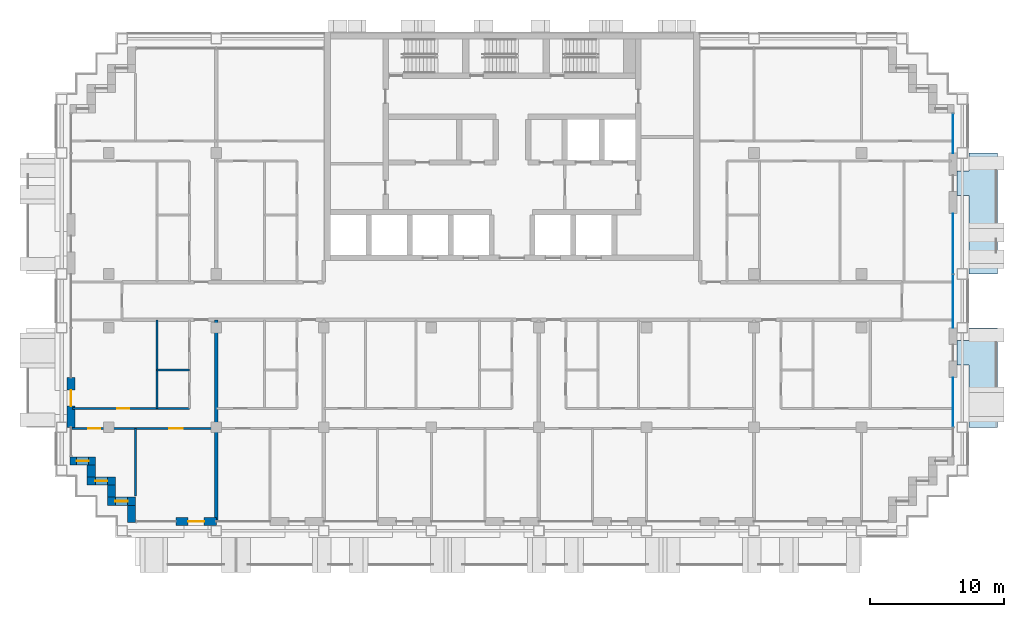
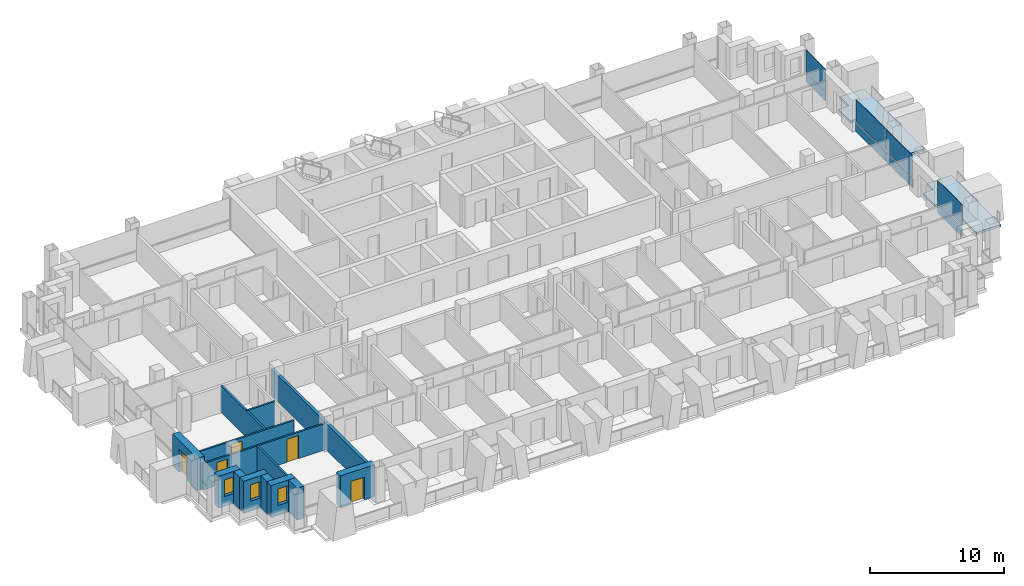
# One storey, part 7 of 18: 14 walls, 8 plates, 5 doors, 3 windows, 2 slabs, 8 openings, 3 elements without a shape of their own.
"""IFC4 building model written with IfcOpenShell, lengths in metres."""

from ifc_helpers import new_model, si_unit, direction, frame, frame_2d, origin, origin_2d, place, context, subcontext, project, spatial, polyline, rectangle, outline, extrude, material, layer, layer_set, type_object, element, fill, aggregate, save


model = new_model("IFC4")

# Units and contexts
model_context = context("Model", 3, precision=1e-05, world=origin(), true_north=direction((0.0, 1.0)))
body_context = subcontext(model_context, "Body", "Model", "MODEL_VIEW")
ifc_project = project(units=[si_unit("LENGTHUNIT", "METRE"), si_unit("AREAUNIT", "SQUARE_METRE"), si_unit("VOLUMEUNIT", "CUBIC_METRE"), si_unit("PLANEANGLEUNIT", "RADIAN"), si_unit("MASSUNIT", "GRAM", prefix="KILO")], contexts=[model_context])

# Site, building, storey
site_placement = place(None, origin())
site = spatial("IfcSite", under=ifc_project, at=site_placement, CompositionType="ELEMENT")
building_placement = place(site_placement, origin())
building = spatial("IfcBuilding", under=site, at=building_placement, Name="Vidyagriha Tower", CompositionType="ELEMENT")
storey_placement = place(building_placement, frame((0.0, 0.0, 123.0)))
storey = spatial("IfcBuildingStorey", under=building, at=storey_placement, Name="L31", CompositionType="ELEMENT", Elevation=123.0)

# Curtain wall, plate
ifc_material_1 = material(Name="Aluminium and glass curtain wall", Category="aluminium")
curtain_wall_type = type_object("IfcCurtainWallType", Name="Dwelling skin unitised curtain wall", PredefinedType="USERDEFINED", material=ifc_material_1)
curtain_wall_1_placement = place(storey_placement, origin())
curtain_wall_1 = element("IfcCurtainWall", 1, at=curtain_wall_1_placement, inside=storey, type_object=curtain_wall_type, Name="CW1 dwelling skin", ObjectType="UNITISED", PredefinedType="USERDEFINED")
ifc_material_2 = material(Name="Glass dark ceramic-fritted spandrel", Category="glass")
ifc_layer_1 = layer(ifc_material_2, 0.0400390625)
ifc_layer_set_1 = layer_set([ifc_layer_1], Name="Glass dark ceramic-fritted spandrel")
plate_type_1 = type_object("IfcPlateType", Name="Ceramic-fritted spandrel panel", PredefinedType="CURTAIN_PANEL", material=ifc_layer_set_1)
plate_1_placement = place(storey_placement, frame((32.800048828125, -7.532470703125, 0.0), z_axis=(0.0, 0.0, 1.0), x_axis=(0.0, 1.0, 0.0)))
plate_1 = element("IfcPlate", 2, at=plate_1_placement, type_object=plate_type_1, Name="CW1 panel 2.1", PredefinedType="CURTAIN_PANEL", context=body_context, shape_type="SweptSolid", body=[
    extrude(rectangle(XDim=3.6650390625, YDim=0.0400390625, at=origin_2d()), origin(), (0.0, 0.0, 1.0), 0.85009765625),
])

curtain_wall_2_placement = place(storey_placement, origin())
curtain_wall_2 = element("IfcCurtainWall", 3, at=curtain_wall_2_placement, inside=storey, type_object=curtain_wall_type, Name="CW1 dwelling skin", ObjectType="UNITISED", PredefinedType="USERDEFINED")
plate_2_placement = place(storey_placement, frame((32.800048828125, 12.465087890625, 0.0), z_axis=(0.0, 0.0, 1.0), x_axis=(0.0, 1.0, 0.0)))
plate_2 = element("IfcPlate", 4, at=plate_2_placement, type_object=plate_type_1, Name="CW1 panel 1.1", PredefinedType="CURTAIN_PANEL", context=body_context, shape_type="SweptSolid", body=[
    extrude(rectangle(XDim=2.929931640625, YDim=0.0400390625, at=origin_2d()), origin(), (0.0, 0.0, 1.0), 0.85009765625),
])

# Plate
ifc_material_3 = material(Name="Glass dark ceramic-fritted", Category="glass")
ifc_layer_2 = layer(ifc_material_3, 0.028076171875)
ifc_layer_set_2 = layer_set([ifc_layer_2], Name="Glass dark ceramic-fritted")
plate_type_2 = type_object("IfcPlateType", Name="Dark ceramic-fritted vision glass panel", PredefinedType="CURTAIN_PANEL", material=ifc_layer_set_2)
plate_3_placement = place(storey_placement, frame((32.800048828125, -7.532470703125, 0.9501953125), z_axis=(0.0, 0.0, 1.0), x_axis=(0.0, 1.0, 0.0)))
plate_3 = element("IfcPlate", 5, at=plate_3_placement, type_object=plate_type_2, Name="CW1 panel 2.2", PredefinedType="CURTAIN_PANEL", context=body_context, shape_type="SweptSolid", body=[
    extrude(rectangle(XDim=3.6650390625, YDim=0.028076171875, at=origin_2d()), origin(), (0.0, 0.0, 1.0), 1.969970703125),
])

aggregate(curtain_wall_1, [plate_1, plate_3])

# Curtain wall, plates
curtain_wall_3_placement = place(storey_placement, origin())
curtain_wall_3 = element("IfcCurtainWall", 6, at=curtain_wall_3_placement, inside=storey, type_object=curtain_wall_type, Name="CW1 dwelling skin", ObjectType="UNITISED", PredefinedType="USERDEFINED")
plate_4_placement = place(storey_placement, frame((32.800048828125, -0.017578125, 0.9501953125), z_axis=(0.0, 0.0, 1.0), x_axis=(0.0, 1.0, 0.0)))
plate_4 = element("IfcPlate", 7, at=plate_4_placement, type_object=plate_type_2, Name="CW1 panel 1.2", PredefinedType="CURTAIN_PANEL", context=body_context, shape_type="SweptSolid", body=[
    extrude(rectangle(XDim=3.965087890625, YDim=0.028076171875, at=origin_2d()), origin(), (0.0, 0.0, 1.0), 1.969970703125),
])
plate_5_placement = place(storey_placement, frame((32.800048828125, 4.267578125, 0.9501953125), z_axis=(0.0, 0.0, 1.0), x_axis=(0.0, 1.0, 0.0)))
plate_5 = element("IfcPlate", 8, at=plate_5_placement, type_object=plate_type_2, Name="CW1 panel 2.2", PredefinedType="CURTAIN_PANEL", context=body_context, shape_type="SweptSolid", body=[
    extrude(rectangle(XDim=4.465087890625, YDim=0.028076171875, at=origin_2d()), origin(), (0.0, 0.0, 1.0), 1.969970703125),
])

# Plate
plate_6_placement = place(storey_placement, frame((32.800048828125, 12.465087890625, 0.9501953125), z_axis=(0.0, 0.0, 1.0), x_axis=(0.0, 1.0, 0.0)))
plate_6 = element("IfcPlate", 9, at=plate_6_placement, type_object=plate_type_2, Name="CW1 panel 1.2", PredefinedType="CURTAIN_PANEL", context=body_context, shape_type="SweptSolid", body=[
    extrude(rectangle(XDim=2.929931640625, YDim=0.028076171875, at=origin_2d()), origin(), (0.0, 0.0, 1.0), 1.969970703125),
])

aggregate(curtain_wall_2, [plate_2, plate_6])

ifc_material_4 = material(Name="Aluminium black anodised", Category="aluminium")
ifc_layer_3 = layer(ifc_material_4, 0.06005859375)
ifc_layer_set_3 = layer_set([ifc_layer_3], Name="Aluminium black anodised")
plate_type_3 = type_object("IfcPlateType", Name="Operable black-metal vent panel", PredefinedType="CURTAIN_PANEL", material=ifc_layer_set_3)
plate_7_placement = place(storey_placement, frame((32.800048828125, -0.017578125, 0.0), z_axis=(0.0, 0.0, 1.0), x_axis=(0.0, 1.0, 0.0)))
plate_7 = element("IfcPlate", 10, at=plate_7_placement, type_object=plate_type_3, Name="CW1 panel 1.1", PredefinedType="CURTAIN_PANEL", context=body_context, shape_type="SweptSolid", body=[
    extrude(rectangle(XDim=3.965087890625, YDim=0.06005859375, at=origin_2d()), origin(), (0.0, 0.0, 1.0), 0.85009765625),
])

plate_8_placement = place(storey_placement, frame((32.800048828125, 4.267578125, 0.0), z_axis=(0.0, 0.0, 1.0), x_axis=(0.0, 1.0, 0.0)))
plate_8 = element("IfcPlate", 11, at=plate_8_placement, type_object=plate_type_3, Name="CW1 panel 2.1", PredefinedType="CURTAIN_PANEL", context=body_context, shape_type="SweptSolid", body=[
    extrude(rectangle(XDim=4.465087890625, YDim=0.06005859375, at=origin_2d()), origin(), (0.0, 0.0, 1.0), 0.85009765625),
])

aggregate(curtain_wall_3, [plate_7, plate_4, plate_8, plate_5])

# Slabs
ifc_material_5 = material(Name="Precast concrete C40/50", Category="concrete")
ifc_layer_4 = layer(ifc_material_5, 0.199951171875)
ifc_layer_set_4 = layer_set([ifc_layer_4], Name="Precast concrete C40/50")
slab_type = type_object("IfcSlabType", Name="Precast balcony slab 200", PredefinedType="USERDEFINED", material=ifc_layer_set_4)
slab_1_placement = place(storey_placement, frame((0.0, 0.0, -0.199951171875)))
element("IfcSlab", 12, at=slab_1_placement, inside=storey, type_object=slab_type, Name="Balcony slab L31 R30.1-1", ObjectType="BALCONY", PredefinedType="USERDEFINED", context=body_context, shape_type="SweptSolid", body=[
    extrude(outline(polyline([(34.0, -4.75), (34.0, -9.39990234375), (36.10009765625, -9.39990234375), (36.10009765625, -2.0), (34.0, -2.0), (34.0, -2.949951171875), (33.10009765625, -2.949951171875), (33.10009765625, -4.75), (34.0, -4.75)])), origin(), (0.0, 0.0, 1.0), 0.199951171875),
])
slab_2_placement = place(storey_placement, frame((0.0, 0.0, -0.199951171875)))
element("IfcSlab", 13, at=slab_2_placement, inside=storey, type_object=slab_type, Name="Balcony slab L31 R30.2-2", ObjectType="BALCONY", PredefinedType="USERDEFINED", context=body_context, shape_type="SweptSolid", body=[
    extrude(outline(polyline([(34.0, 7.85009765625), (34.0, 2.0), (36.10009765625, 2.0), (36.10009765625, 11.0), (34.0, 11.0), (34.0, 9.64990234375), (33.10009765625, 9.64990234375), (33.10009765625, 7.85009765625), (34.0, 7.85009765625)])), origin(), (0.0, 0.0, 1.0), 0.199951171875),
])

# Wall, opening, door
ifc_material_6 = material(Name="Precast concrete C40/50 with brick facing", Category="concrete")
ifc_layer_5 = layer(ifc_material_6, 0.60009765625)
ifc_layer_set_5 = layer_set([ifc_layer_5], Name="Precast concrete C40/50 with brick facing")
wall_type_1 = type_object("IfcWallType", Name="Brick-faced precast wall 600", PredefinedType="STANDARD", material=ifc_layer_set_5)
wall_1_placement = place(storey_placement, frame((-32.800048828125, -5.699951171875, 0.0), z_axis=(0.0, 0.0, 1.0), x_axis=(0.0, -1.0, 0.0)))
wall_1 = element("IfcWall", 14, at=wall_1_placement, inside=storey, type_object=wall_type_1, Name="Brick door bay wall L31 R16.6", PredefinedType="STANDARD", context=body_context, shape_type="SweptSolid", body=[
    extrude(rectangle(XDim=3.699951171875, YDim=0.60009765625, at=frame_2d((1.85009765625, 0.0))), origin(), (0.0, 0.0, 1.0), 2.919921875),
])
opening_1_placement = place(wall_1_placement, frame((0.925048828125, 0.0, 0.0)))
opening_1 = element("IfcOpeningElement", 15, at=opening_1_placement, cuts=wall_1, Name="Opening D31-74", PredefinedType="OPENING", context=body_context, shape_type="SweptSolid", body=[
    extrude(rectangle(XDim=1.199951171875, YDim=2.10009765625, at=frame_2d((0.60009765625, 1.050048828125))), frame((0.0, 0.31005859375, 0.0), z_axis=(0.0, -1.0, 0.0), x_axis=(1.0, 0.0, 0.0)), (0.0, 0.0, 1.0), 0.6201171875),
])
ifc_material_7 = material(Name="Aluminium framed glazed sliding door", Category="aluminium")
door_type_1 = type_object("IfcDoorType", Name="Balcony sliding door 1200x2100", OperationType="NOTDEFINED", PredefinedType="DOOR", material=ifc_material_7)
door_1_placement = place(opening_1_placement, origin())
door_1 = element("IfcDoor", 16, at=door_1_placement, inside=storey, type_object=door_type_1, Name="Door D31-74", OperationType="SLIDING_TO_LEFT", OverallHeight=2.10009765625, OverallWidth=1.199951171875, PredefinedType="DOOR", context=body_context, shape_type="SweptSolid", body=[
    extrude(rectangle(XDim=1.199951171875, YDim=2.10009765625, at=frame_2d((0.60009765625, 1.050048828125))), frame((0.0, 0.02490234375, 0.0), z_axis=(0.0, -1.0, 0.0), x_axis=(1.0, 0.0, 0.0)), (0.0, 0.0, 1.0), 0.050048828125),
])
fill(opening_1, door_1)

# Wall, opening, window
wall_2_placement = place(storey_placement, frame((-32.8798828125, -11.89990234375, 0.0)))
wall_2 = element("IfcWall", 17, at=wall_2_placement, inside=storey, type_object=wall_type_1, Name="Stepped corner wall L31 R17", PredefinedType="STANDARD", context=body_context, shape_type="SweptSolid", body=[
    extrude(rectangle(XDim=1.8798828125, YDim=0.60009765625, at=frame_2d((0.93994140625, 0.0))), origin(), (0.0, 0.0, 1.0), 2.919921875),
])
opening_2_placement = place(wall_2_placement, frame((0.489990234375, 0.0, 0.89990234375)))
opening_2 = element("IfcOpeningElement", 18, at=opening_2_placement, cuts=wall_2, Name="Opening WN1", PredefinedType="OPENING", context=body_context, shape_type="SweptSolid", body=[
    extrude(rectangle(XDim=0.89990234375, YDim=1.5, at=frame_2d((0.449951171875, 0.75))), frame((0.0, 0.31005859375, 0.0), z_axis=(0.0, -1.0, 0.0), x_axis=(1.0, 0.0, 0.0)), (0.0, 0.0, 1.0), 0.6201171875),
])
ifc_material_8 = material(Name="Aluminium and glass window", Category="aluminium")
window_type = type_object("IfcWindowType", Name="Reveal window 900x1500", PartitioningType="NOTDEFINED", PredefinedType="WINDOW", material=ifc_material_8)
window_1_placement = place(opening_2_placement, origin())
window_1 = element("IfcWindow", 19, at=window_1_placement, inside=storey, type_object=window_type, Name="Reveal window L31 R17", OverallHeight=1.5, OverallWidth=0.89990234375, PartitioningType="SINGLE_PANEL", PredefinedType="WINDOW", context=body_context, shape_type="SweptSolid", body=[
    extrude(rectangle(XDim=0.89990234375, YDim=1.5, at=frame_2d((0.449951171875, 0.75))), frame((0.0, 0.030029296875, 0.0), z_axis=(0.0, -1.0, 0.0), x_axis=(1.0, 0.0, 0.0)), (0.0, 0.0, 1.0), 0.06005859375),
])
fill(opening_2, window_1)

# Wall
wall_3_placement = place(storey_placement, frame((-31.300048828125, -12.199951171875, 0.0), z_axis=(0.0, 0.0, 1.0), x_axis=(0.0, -1.0, 0.0)))
element("IfcWall", 20, at=wall_3_placement, inside=storey, type_object=wall_type_1, Name="Stepped corner wall L31 R18", PredefinedType="STANDARD", context=body_context, shape_type="SweptSolid", body=[
    extrude(rectangle(XDim=0.900146484375, YDim=0.60009765625, at=frame_2d((0.4501953125, 0.0))), origin(), (0.0, 0.0, 1.0), 2.919921875),
])

# Wall, opening, window
wall_4_placement = place(storey_placement, frame((-31.60009765625, -13.39990234375, 0.0)))
wall_4 = element("IfcWall", 21, at=wall_4_placement, inside=storey, type_object=wall_type_1, Name="Stepped corner wall L31 R19", PredefinedType="STANDARD", context=body_context, shape_type="SweptSolid", body=[
    extrude(rectangle(XDim=2.10009765625, YDim=0.60009765625, at=frame_2d((1.050048828125, 0.0))), origin(), (0.0, 0.0, 1.0), 2.919921875),
])
opening_3_placement = place(wall_4_placement, frame((0.60009765625, 0.0, 0.89990234375)))
opening_3 = element("IfcOpeningElement", 22, at=opening_3_placement, cuts=wall_4, Name="Opening WN1", PredefinedType="OPENING", context=body_context, shape_type="SweptSolid", body=[
    extrude(rectangle(XDim=0.89990234375, YDim=1.5, at=frame_2d((0.449951171875, 0.75))), frame((0.0, 0.31005859375, 0.0), z_axis=(0.0, -1.0, 0.0), x_axis=(1.0, 0.0, 0.0)), (0.0, 0.0, 1.0), 0.6201171875),
])
window_2_placement = place(opening_3_placement, origin())
window_2 = element("IfcWindow", 23, at=window_2_placement, inside=storey, type_object=window_type, Name="Reveal window L31 R19", OverallHeight=1.5, OverallWidth=0.89990234375, PartitioningType="SINGLE_PANEL", PredefinedType="WINDOW", context=body_context, shape_type="SweptSolid", body=[
    extrude(rectangle(XDim=0.89990234375, YDim=1.5, at=frame_2d((0.449951171875, 0.75))), frame((0.0, 0.030029296875, 0.0), z_axis=(0.0, -1.0, 0.0), x_axis=(1.0, 0.0, 0.0)), (0.0, 0.0, 1.0), 0.06005859375),
])
fill(opening_3, window_2)

# Wall
wall_5_placement = place(storey_placement, frame((-29.800048828125, -13.699951171875, 0.0), z_axis=(0.0, 0.0, 1.0), x_axis=(0.0, -1.0, 0.0)))
element("IfcWall", 24, at=wall_5_placement, inside=storey, type_object=wall_type_1, Name="Stepped corner wall L31 R20", PredefinedType="STANDARD", context=body_context, shape_type="SweptSolid", body=[
    extrude(rectangle(XDim=0.900146484375, YDim=0.60009765625, at=frame_2d((0.4501953125, 0.0))), origin(), (0.0, 0.0, 1.0), 2.919921875),
])

# Wall, opening, window
wall_6_placement = place(storey_placement, frame((-30.10009765625, -14.89990234375, 0.0)))
wall_6 = element("IfcWall", 25, at=wall_6_placement, inside=storey, type_object=wall_type_1, Name="Stepped corner wall L31 R21", PredefinedType="STANDARD", context=body_context, shape_type="SweptSolid", body=[
    extrude(rectangle(XDim=2.10009765625, YDim=0.60009765625, at=frame_2d((1.050048828125, 0.0))), origin(), (0.0, 0.0, 1.0), 2.919921875),
])
opening_4_placement = place(wall_6_placement, frame((0.60009765625, 0.0, 0.89990234375)))
opening_4 = element("IfcOpeningElement", 26, at=opening_4_placement, cuts=wall_6, Name="Opening WN1", PredefinedType="OPENING", context=body_context, shape_type="SweptSolid", body=[
    extrude(rectangle(XDim=0.89990234375, YDim=1.5, at=frame_2d((0.449951171875, 0.75))), frame((0.0, 0.31005859375, 0.0), z_axis=(0.0, -1.0, 0.0), x_axis=(1.0, 0.0, 0.0)), (0.0, 0.0, 1.0), 0.6201171875),
])
window_3_placement = place(opening_4_placement, origin())
window_3 = element("IfcWindow", 27, at=window_3_placement, inside=storey, type_object=window_type, Name="Reveal window L31 R21", OverallHeight=1.5, OverallWidth=0.89990234375, PartitioningType="SINGLE_PANEL", PredefinedType="WINDOW", context=body_context, shape_type="SweptSolid", body=[
    extrude(rectangle(XDim=0.89990234375, YDim=1.5, at=frame_2d((0.449951171875, 0.75))), frame((0.0, 0.030029296875, 0.0), z_axis=(0.0, -1.0, 0.0), x_axis=(1.0, 0.0, 0.0)), (0.0, 0.0, 1.0), 0.06005859375),
])
fill(opening_4, window_3)

# Wall
wall_7_placement = place(storey_placement, frame((-28.300048828125, -15.199951171875, 0.0), z_axis=(0.0, 0.0, 1.0), x_axis=(0.0, -1.0, 0.0)))
element("IfcWall", 28, at=wall_7_placement, inside=storey, type_object=wall_type_1, Name="Stepped corner wall L31 R22", PredefinedType="STANDARD", context=body_context, shape_type="SweptSolid", body=[
    extrude(rectangle(XDim=1.280029296875, YDim=0.60009765625, at=frame_2d((0.64013671875, 0.0))), origin(), (0.0, 0.0, 1.0), 2.919921875),
])

# Wall, opening, door
wall_8_placement = place(storey_placement, frame((-25.0, -16.39990234375, 0.0)))
wall_8 = element("IfcWall", 29, at=wall_8_placement, inside=storey, type_object=wall_type_1, Name="Brick door bay wall L31 R23.2", PredefinedType="STANDARD", context=body_context, shape_type="SweptSolid", body=[
    extrude(rectangle(XDim=3.0, YDim=0.60009765625, at=frame_2d((1.5, 0.0))), origin(), (0.0, 0.0, 1.0), 2.919921875),
])
opening_5_placement = place(wall_8_placement, frame((0.89990234375, 0.0, 0.0)))
opening_5 = element("IfcOpeningElement", 30, at=opening_5_placement, cuts=wall_8, Name="Opening D31-75", PredefinedType="OPENING", context=body_context, shape_type="SweptSolid", body=[
    extrude(rectangle(XDim=1.199951171875, YDim=2.10009765625, at=frame_2d((0.60009765625, 1.050048828125))), frame((0.0, 0.31005859375, 0.0), z_axis=(0.0, -1.0, 0.0), x_axis=(1.0, 0.0, 0.0)), (0.0, 0.0, 1.0), 0.6201171875),
])
door_2_placement = place(opening_5_placement, origin())
door_2 = element("IfcDoor", 31, at=door_2_placement, inside=storey, type_object=door_type_1, Name="Door D31-75", OperationType="SLIDING_TO_LEFT", OverallHeight=2.10009765625, OverallWidth=1.199951171875, PredefinedType="DOOR", context=body_context, shape_type="SweptSolid", body=[
    extrude(rectangle(XDim=1.199951171875, YDim=2.10009765625, at=frame_2d((0.60009765625, 1.050048828125))), frame((0.0, 0.02490234375, 0.0), z_axis=(0.0, -1.0, 0.0), x_axis=(1.0, 0.0, 0.0)), (0.0, 0.0, 1.0), 0.050048828125),
])
fill(opening_5, door_2)

# Walls
ifc_material_9 = material(Name="Fired clay brick masonry", Category="masonry")
ifc_layer_6 = layer(ifc_material_9, 0.25)
ifc_layer_set_6 = layer_set([ifc_layer_6], Name="Fired clay brick masonry")
wall_type_2 = type_object("IfcWallType", Name="Fired clay brick demising wall 250", PredefinedType="PARTITIONING", material=ifc_layer_set_6)
wall_9_placement = place(storey_placement, frame((-22.0, -1.39990234375, 0.0), z_axis=(0.0, 0.0, 1.0), x_axis=(0.0, -1.0, 0.0)))
element("IfcWall", 32, at=wall_9_placement, inside=storey, type_object=wall_type_2, Name="Wall all-L31-w025", PredefinedType="PARTITIONING", context=body_context, shape_type="SweptSolid", body=[
    extrude(rectangle(XDim=14.91015625, YDim=0.25, at=frame_2d((7.455078125, 0.0))), origin(), (0.0, 0.0, 1.0), 2.39990234375),
])
ifc_material_10 = material(Name="Gypsum board partition")
ifc_layer_7 = layer(ifc_material_10, 0.14990234375)
ifc_layer_set_7 = layer_set([ifc_layer_7], Name="Gypsum board partition")
wall_type_3 = type_object("IfcWallType", Name="Gypsum board partition 150", PredefinedType="PARTITIONING", material=ifc_layer_set_7)
wall_10_placement = place(storey_placement, frame((-24.0, -5.14990234375, 0.0), z_axis=(0.0, 0.0, 1.0), x_axis=(-1.0, 0.0, 0.0)))
element("IfcWall", 33, at=wall_10_placement, inside=storey, type_object=wall_type_3, Name="Wall all-L31-w004", PredefinedType="PARTITIONING", context=body_context, shape_type="SweptSolid", body=[
    extrude(rectangle(XDim=2.39990234375, YDim=0.14990234375, at=frame_2d((1.199951171875, 0.0))), origin(), (0.0, 0.0, 1.0), 2.39990234375),
])
wall_11_placement = place(storey_placement, frame((-26.39990234375, -8.0, 0.0), z_axis=(0.0, 0.0, 1.0), x_axis=(0.0, 1.0, 0.0)))
element("IfcWall", 34, at=wall_11_placement, inside=storey, type_object=wall_type_3, Name="Wall all-L31-w005", PredefinedType="PARTITIONING", context=body_context, shape_type="SweptSolid", body=[
    extrude(rectangle(XDim=6.60009765625, YDim=0.14990234375, at=frame_2d((3.300048828125, 0.0))), origin(), (0.0, 0.0, 1.0), 2.39990234375),
])

# Wall, opening, door
wall_12_placement = place(storey_placement, frame((-32.7099609375, -8.0, 0.0)))
wall_12 = element("IfcWall", 35, at=wall_12_placement, inside=storey, type_object=wall_type_3, Name="Wall all-L31-w006", PredefinedType="PARTITIONING", context=body_context, shape_type="SweptSolid", body=[
    extrude(rectangle(XDim=8.7099609375, YDim=0.14990234375, at=frame_2d((4.35498046875, 0.0))), origin(), (0.0, 0.0, 1.0), 2.39990234375),
])
opening_6_placement = place(wall_12_placement, frame((3.327880859375, 0.0, 0.0)))
opening_6 = element("IfcOpeningElement", 36, at=opening_6_placement, cuts=wall_12, Name="Opening D31-15", PredefinedType="OPENING", context=body_context, shape_type="SweptSolid", body=[
    extrude(rectangle(XDim=0.89990234375, YDim=2.10009765625, at=frame_2d((0.449951171875, 1.050048828125))), frame((0.0, 0.0849609375, 0.0), z_axis=(0.0, -1.0, 0.0), x_axis=(1.0, 0.0, 0.0)), (0.0, 0.0, 1.0), 0.169921875),
])
ifc_material_11 = material(Name="Timber door leaf", Category="wood")
door_type_2 = type_object("IfcDoorType", Name="Room door 900x2100", OperationType="NOTDEFINED", PredefinedType="DOOR", material=ifc_material_11)
door_3_placement = place(opening_6_placement, origin())
door_3 = element("IfcDoor", 37, at=door_3_placement, inside=storey, type_object=door_type_2, Name="Door D31-15", OperationType="SINGLE_SWING_RIGHT", OverallHeight=2.10009765625, OverallWidth=0.89990234375, PredefinedType="DOOR", context=body_context, shape_type="SweptSolid", body=[
    extrude(rectangle(XDim=0.89990234375, YDim=2.10009765625, at=frame_2d((0.449951171875, 1.050048828125))), frame((0.0, 0.02490234375, 0.0), z_axis=(0.0, -1.0, 0.0), x_axis=(1.0, 0.0, 0.0)), (0.0, 0.0, 1.0), 0.050048828125),
])
fill(opening_6, door_3)

# Wall, openings, doors
wall_13_placement = place(storey_placement, frame((-22.0, -9.5, 0.0), z_axis=(0.0, 0.0, 1.0), x_axis=(-1.0, 0.0, 0.0)))
wall_13 = element("IfcWall", 38, at=wall_13_placement, inside=storey, type_object=wall_type_3, Name="Wall all-L31-w008", PredefinedType="PARTITIONING", context=body_context, shape_type="SweptSolid", body=[
    extrude(rectangle(XDim=10.719970703125, YDim=0.14990234375, at=frame_2d((5.35986328125, 0.0))), origin(), (0.0, 0.0, 1.0), 2.39990234375),
])
opening_7_placement = place(wall_13_placement, frame((8.617919921875, 0.0, 0.0)))
opening_7 = element("IfcOpeningElement", 39, at=opening_7_placement, cuts=wall_13, Name="Opening D31-16", PredefinedType="OPENING", context=body_context, shape_type="SweptSolid", body=[
    extrude(rectangle(XDim=0.89990234375, YDim=2.10009765625, at=frame_2d((0.449951171875, 1.050048828125))), frame((0.0, 0.0849609375, 0.0), z_axis=(0.0, -1.0, 0.0), x_axis=(1.0, 0.0, 0.0)), (0.0, 0.0, 1.0), 0.169921875),
])
opening_8_placement = place(wall_13_placement, frame((2.5, 0.0, 0.0)))
opening_8 = element("IfcOpeningElement", 40, at=opening_8_placement, cuts=wall_13, Name="Opening D31-17", PredefinedType="OPENING", context=body_context, shape_type="SweptSolid", body=[
    extrude(rectangle(XDim=1.0, YDim=2.10009765625, at=frame_2d((0.5, 1.050048828125))), frame((0.0, 0.0849609375, 0.0), z_axis=(0.0, -1.0, 0.0), x_axis=(1.0, 0.0, 0.0)), (0.0, 0.0, 1.0), 0.169921875),
])
ifc_material_12 = material(Name="Timber door leaf", Category="wood")
door_type_3 = type_object("IfcDoorType", Name="Room door 1000x2100", OperationType="NOTDEFINED", PredefinedType="DOOR", material=ifc_material_12)
door_4_placement = place(opening_8_placement, origin())
door_4 = element("IfcDoor", 41, at=door_4_placement, inside=storey, type_object=door_type_3, Name="Door D31-17", OperationType="SINGLE_SWING_RIGHT", OverallHeight=2.10009765625, OverallWidth=1.0, PredefinedType="DOOR", context=body_context, shape_type="SweptSolid", body=[
    extrude(rectangle(XDim=1.0, YDim=2.10009765625, at=frame_2d((0.5, 1.050048828125))), frame((0.0, 0.02490234375, 0.0), z_axis=(0.0, -1.0, 0.0), x_axis=(1.0, 0.0, 0.0)), (0.0, 0.0, 1.0), 0.050048828125),
])
fill(opening_8, door_4)
door_5_placement = place(opening_7_placement, origin())
door_5 = element("IfcDoor", 42, at=door_5_placement, inside=storey, type_object=door_type_2, Name="Door D31-16", OperationType="SINGLE_SWING_RIGHT", OverallHeight=2.10009765625, OverallWidth=0.89990234375, PredefinedType="DOOR", context=body_context, shape_type="SweptSolid", body=[
    extrude(rectangle(XDim=0.89990234375, YDim=2.10009765625, at=frame_2d((0.449951171875, 1.050048828125))), frame((0.0, 0.02490234375, 0.0), z_axis=(0.0, -1.0, 0.0), x_axis=(1.0, 0.0, 0.0)), (0.0, 0.0, 1.0), 0.050048828125),
])
fill(opening_7, door_5)

# Wall
wall_14_placement = place(storey_placement, frame((-28.0, -9.5, 0.0), z_axis=(0.0, 0.0, 1.0), x_axis=(0.0, -1.0, 0.0)))
element("IfcWall", 43, at=wall_14_placement, inside=storey, type_object=wall_type_3, Name="Wall all-L31-w011", PredefinedType="PARTITIONING", context=body_context, shape_type="SweptSolid", body=[
    extrude(rectangle(XDim=5.02001953125, YDim=0.14990234375, at=frame_2d((2.510009765625, 0.0))), origin(), (0.0, 0.0, 1.0), 2.39990234375),
])

save(model, "model.ifc")
